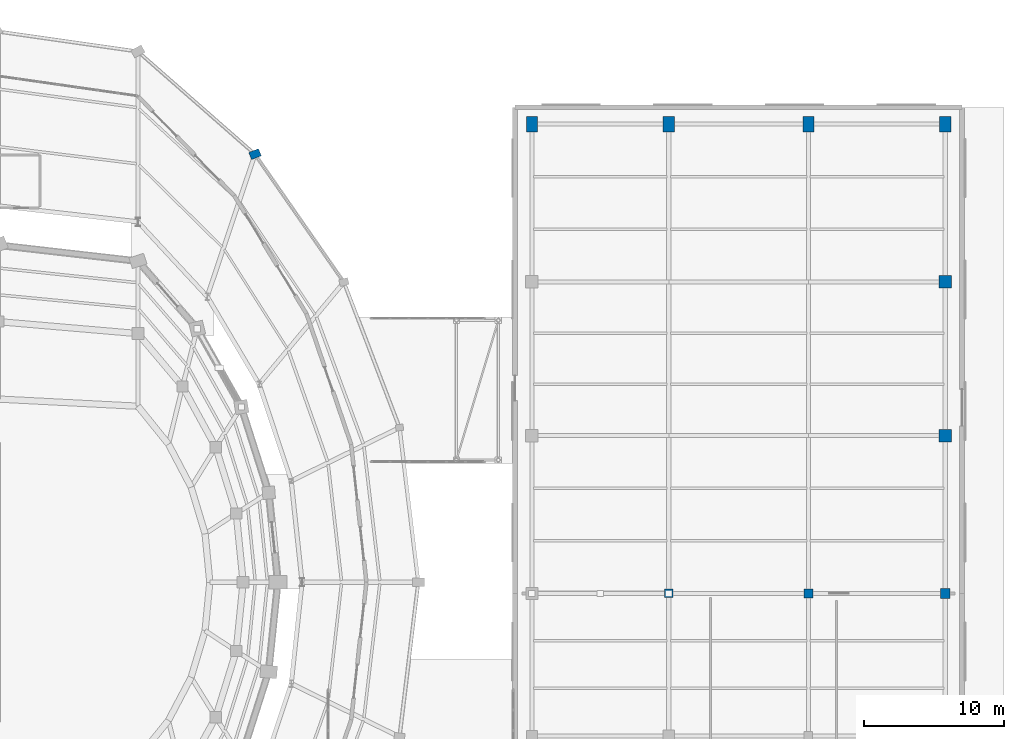
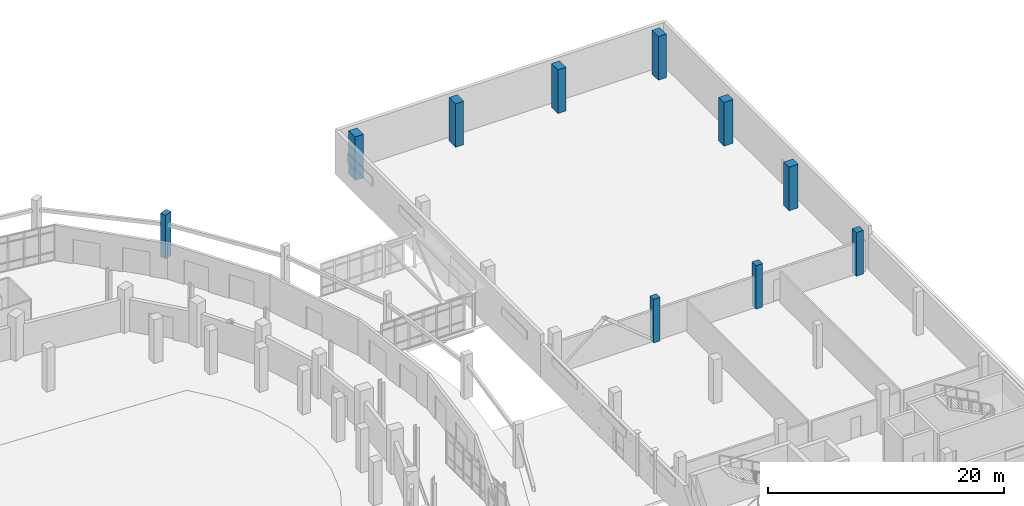
# One storey, part 26 of 122: 10 columns.
"""IFC4 building model written with IfcOpenShell, lengths in metres."""

from ifc_helpers import new_model, si_unit, direction, frame, origin, origin_2d, place, context, subcontext, project, spatial, rectangle, extrude, material, material_profile, profile_set, type_object, element, save


model = new_model("IFC4")

# Units and contexts
model_context = context("Model", 3, precision=1e-05, world=origin(), true_north=direction((0.0, 1.0)))
body_context = subcontext(model_context, "Body", "Model", "MODEL_VIEW")
ifc_project = project(units=[si_unit("LENGTHUNIT", "METRE"), si_unit("AREAUNIT", "SQUARE_METRE"), si_unit("VOLUMEUNIT", "CUBIC_METRE"), si_unit("PLANEANGLEUNIT", "RADIAN"), si_unit("MASSUNIT", "GRAM", prefix="KILO")], contexts=[model_context])

# Site, building, storey
site_placement = place(None, origin())
site = spatial("IfcSite", under=ifc_project, at=site_placement, CompositionType="ELEMENT")
building_placement = place(site_placement, origin())
building = spatial("IfcBuilding", under=site, at=building_placement, Name="Sohan Crest Arena", CompositionType="ELEMENT")
storey_placement = place(building_placement, origin())
storey = spatial("IfcBuildingStorey", under=building, at=storey_placement, Name="L00", CompositionType="ELEMENT", Elevation=0.0)

# Columns
ifc_material = material(Name="Concrete C40/50", Category="concrete")
ifc_material_profile_1 = material_profile(ifc_material, rectangle(XDim=0.60009765625, YDim=0.60009765625, at=origin_2d()), Name="RC 600x600")
ifc_profile_set_1 = profile_set([ifc_material_profile_1], Name="Concrete C40/50")
column_type_1 = type_object("IfcColumnType", Name="STR-COL-C01", PredefinedType="COLUMN", material=ifc_profile_set_1)
column_1_placement = place(storey_placement, frame((206.0, 77.199951171875, 0.0), z_axis=(0.0, 0.0, 1.0), x_axis=(1.0, 0.0, 0.0)))
element("IfcColumn", 1, at=column_1_placement, inside=storey, type_object=column_type_1, Name="Structural column COL-V4S-24-L00", PredefinedType="COLUMN", context=body_context, shape_type="SweptSolid", body=[
    extrude(rectangle(XDim=0.60009765625, YDim=0.60009765625, at=origin_2d()), origin(), (0.0, 0.0, 1.0), 4.5),
])
ifc_material_profile_2 = material_profile(ifc_material, rectangle(XDim=0.64990234375, YDim=0.64990234375, at=origin_2d()), Name="RC 650x650")
ifc_profile_set_2 = profile_set([ifc_material_profile_2], Name="Concrete C40/50")
column_type_2 = type_object("IfcColumnType", Name="STR-COL-C02", PredefinedType="COLUMN", material=ifc_profile_set_2)
column_2_placement = place(storey_placement, frame((216.0, 77.199951171875, 0.0), z_axis=(0.0, 0.0, 1.0), x_axis=(1.0, 0.0, 0.0)))
element("IfcColumn", 2, at=column_2_placement, inside=storey, type_object=column_type_2, Name="Structural column COL-V4S-34-L00", PredefinedType="COLUMN", context=body_context, shape_type="SweptSolid", body=[
    extrude(rectangle(XDim=0.64990234375, YDim=0.64990234375, at=origin_2d()), origin(), (0.0, 0.0, 1.0), 4.5),
])
ifc_material_profile_3 = material_profile(ifc_material, rectangle(XDim=0.699951171875, YDim=0.699951171875, at=origin_2d()), Name="RC 700x700")
ifc_profile_set_3 = profile_set([ifc_material_profile_3], Name="Concrete C40/50")
column_type_3 = type_object("IfcColumnType", Name="STR-COL-C03", PredefinedType="COLUMN", material=ifc_profile_set_3)
column_3_placement = place(storey_placement, frame((225.800048828125, 77.199951171875, 0.0), z_axis=(0.0, 0.0, 1.0), x_axis=(1.0, 0.0, 0.0)))
element("IfcColumn", 3, at=column_3_placement, inside=storey, type_object=column_type_3, Name="Structural column COL-V4S-44-L00", PredefinedType="COLUMN", context=body_context, shape_type="SweptSolid", body=[
    extrude(rectangle(XDim=0.699951171875, YDim=0.699951171875, at=origin_2d()), origin(), (0.0, 0.0, 1.0), 4.5),
])
ifc_material_profile_4 = material_profile(ifc_material, rectangle(XDim=0.89990234375, YDim=0.89990234375, at=origin_2d()), Name="RC 900x900")
ifc_profile_set_4 = profile_set([ifc_material_profile_4], Name="Concrete C40/50")
column_type_4 = type_object("IfcColumnType", Name="STR-COL-C07", PredefinedType="COLUMN", material=ifc_profile_set_4)
for number, where, z_axis, x_axis, name in (
    (4, (225.800048828125, 88.5, 0.0), (0.0, 0.0, 1.0), (1.0, 0.0, 0.0), "Structural column COL-V4G-E1-L00"),
    (5, (225.800048828125, 99.5, 0.0), (0.0, 0.0, 1.0), (1.0, 0.0, 0.0), "Structural column COL-V4G-E2-L00"),
):
    element("IfcColumn", number, at=place(storey_placement, frame(where, z_axis=z_axis, x_axis=x_axis)), inside=storey, type_object=column_type_4, Name=name, PredefinedType="COLUMN", context=body_context, shape_type="SweptSolid", body=[
        extrude(rectangle(XDim=0.89990234375, YDim=0.89990234375, at=origin_2d()), origin(), (0.0, 0.0, 1.0), 4.5),
    ])
ifc_material_profile_5 = material_profile(ifc_material, rectangle(XDim=1.10009765625, YDim=0.800048828125, at=origin_2d()), Name="RC 1100x800")
ifc_profile_set_5 = profile_set([ifc_material_profile_5], Name="Concrete C40/50")
column_type_5 = type_object("IfcColumnType", Name="STR-COL-C10", PredefinedType="COLUMN", material=ifc_profile_set_5)
for number, where, z_axis, x_axis, name in (
    (6, (196.199951171875, 110.800048828125, 0.0), (0.0, 0.0, 1.0), (0.0, 1.0, 0.0), "Structural column COL-V4N-1-L00"),
    (7, (206.0, 110.800048828125, 0.0), (0.0, 0.0, 1.0), (0.0, 1.0, 0.0), "Structural column COL-V4N-2-L00"),
    (8, (216.0, 110.800048828125, 0.0), (0.0, 0.0, 1.0), (0.0, 1.0, 0.0), "Structural column COL-V4N-3-L00"),
    (9, (225.800048828125, 110.800048828125, 0.0), (0.0, 0.0, 1.0), (0.0, 1.0, 0.0), "Structural column COL-V4N-4-L00"),
):
    element("IfcColumn", number, at=place(storey_placement, frame(where, z_axis=z_axis, x_axis=x_axis)), inside=storey, type_object=column_type_5, Name=name, PredefinedType="COLUMN", context=body_context, shape_type="SweptSolid", body=[
        extrude(rectangle(XDim=1.10009765625, YDim=0.800048828125, at=origin_2d()), origin(), (0.0, 0.0, 1.0), 4.5),
    ])
ifc_material_profile_6 = material_profile(ifc_material, rectangle(XDim=0.75, YDim=0.550048828125, at=origin_2d()), Name="RC 750x550")
ifc_profile_set_6 = profile_set([ifc_material_profile_6], Name="Concrete C40/50")
column_type_6 = type_object("IfcColumnType", Name="STR-COL-PC03", PredefinedType="PILASTER", material=ifc_profile_set_6)
column_4_placement = place(storey_placement, frame((176.383056640625, 108.64501953125, 0.0), z_axis=(0.0, 0.0, 1.0), x_axis=(0.931055815863, 0.364876784338, 0.0)))
element("IfcColumn", 10, at=column_4_placement, inside=storey, type_object=column_type_6, Name="Structural column COL-V2O-27-L00", PredefinedType="PILASTER", context=body_context, shape_type="SweptSolid", body=[
    extrude(rectangle(XDim=0.75, YDim=0.550048828125, at=origin_2d()), origin(), (0.0, 0.0, 1.0), 4.5),
])

save(model, "model.ifc")
